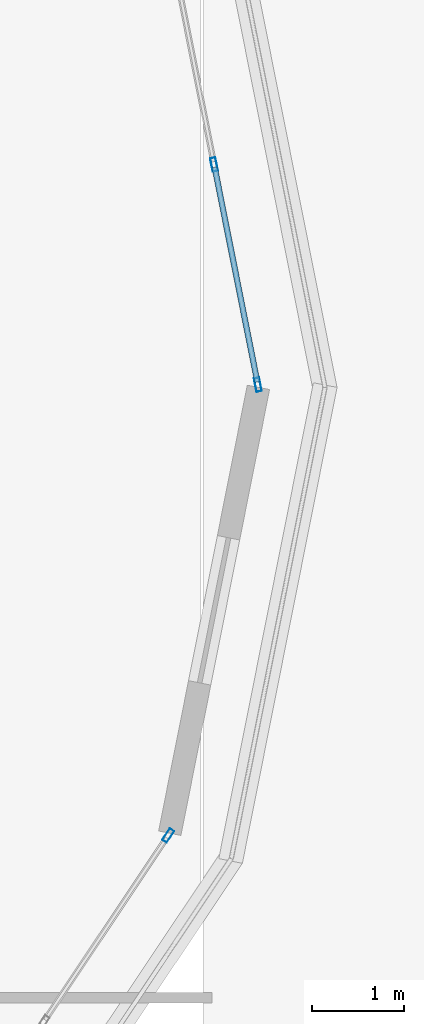
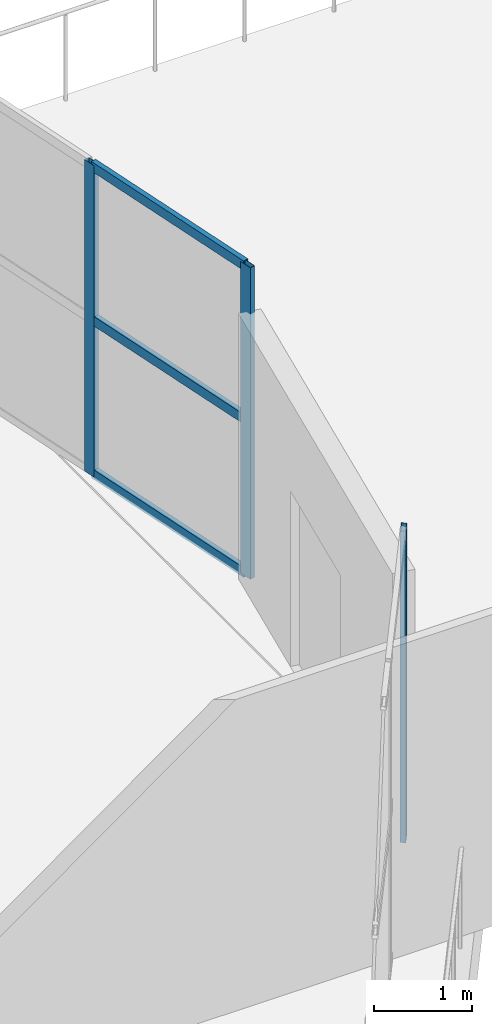
# One storey, part 22 of 44: 6 members, 2 elements without a shape of their own.
"""IFC4 building model written with IfcOpenShell, lengths in metres."""

from ifc_helpers import new_model, si_unit, direction, frame, origin, origin_2d, place, context, subcontext, project, spatial, hollow_rectangle, extrude, material, layer, layer_set, material_profile, profile_set, type_object, element, aggregate, save


model = new_model("IFC4")

# Units and contexts
model_context = context("Model", 3, precision=1e-05, world=origin(), true_north=direction((0.0, 1.0)))
body_context = subcontext(model_context, "Body", "Model", "MODEL_VIEW")
ifc_project = project(units=[si_unit("LENGTHUNIT", "METRE"), si_unit("AREAUNIT", "SQUARE_METRE"), si_unit("VOLUMEUNIT", "CUBIC_METRE"), si_unit("PLANEANGLEUNIT", "RADIAN"), si_unit("MASSUNIT", "GRAM", prefix="KILO")], contexts=[model_context])

# Site, building, storey
site_placement = place(None, origin())
site = spatial("IfcSite", under=ifc_project, at=site_placement, CompositionType="ELEMENT")
building_placement = place(site_placement, origin())
building = spatial("IfcBuilding", under=site, at=building_placement, Name="Zizhar Promenade General Hospital", CompositionType="ELEMENT")
storey_placement = place(building_placement, frame((0.0, 0.0, 34.800048828125)))
storey = spatial("IfcBuildingStorey", under=building, at=storey_placement, Name="L08", CompositionType="ELEMENT", Elevation=34.800048828125)

# Curtain wall, member
ifc_material_1 = material(Name="Anodised aluminium 6063-T6 and low-E glass", Category="aluminium")
ifc_layer = layer(ifc_material_1, 0.159912109375)
ifc_layer_set = layer_set([ifc_layer], Name="Anodised aluminium 6063-T6 and low-E glass")
curtain_wall_type = type_object("IfcCurtainWallType", Name="CW-WARD-ARC", PredefinedType="NOTDEFINED", material=ifc_layer_set)
curtain_wall_1_placement = place(storey_placement, origin())
curtain_wall_1 = element("IfcCurtainWall", 1, at=curtain_wall_1_placement, inside=storey, type_object=curtain_wall_type, Name="Ward Semicircular End Glazing L08-03", PredefinedType="NOTDEFINED")
ifc_material_2 = material(Name="Anodised aluminium 6063-T6", Category="aluminium")
ifc_material_profile_1 = material_profile(ifc_material_2, hollow_rectangle(XDim=0.06005859375, YDim=0.14990234375, WallThickness=0.00390625, at=origin_2d()))
ifc_profile_set_1 = profile_set([ifc_material_profile_1], Name="Anodised aluminium 6063-T6")
member_type_1 = type_object("IfcMemberType", Name="CWM-ALU-150x60", PredefinedType="MULLION", material=ifc_profile_set_1)
member_1_placement = place(storey_placement, frame((110.024169921875, 7.753173828125, 0.0), z_axis=(0.0, 0.0, 1.0), x_axis=(0.831461514468, -0.555582352095, 0.0)))
member_1 = element("IfcMember", 2, at=member_1_placement, type_object=member_type_1, Name="CW-12 mullion 1", PredefinedType="MULLION", context=body_context, shape_type="SweptSolid", body=[
    extrude(hollow_rectangle(XDim=0.06005859375, YDim=0.14990234375, WallThickness=0.00390625, at=origin_2d()), origin(), (0.0, 0.0, 1.0), 3.89990234375),
])
aggregate(curtain_wall_1, [member_1])

# Curtain wall, members
curtain_wall_2_placement = place(storey_placement, origin())
curtain_wall_2 = element("IfcCurtainWall", 3, at=curtain_wall_2_placement, inside=storey, type_object=curtain_wall_type, Name="Ward Semicircular End Glazing L08-05", PredefinedType="NOTDEFINED")
member_2_placement = place(storey_placement, frame((110.5205078125, 15.010986328125, 0.0), z_axis=(0.0, 0.0, 1.0), x_axis=(0.980785889615, 0.195087259275, 0.0)))
member_2 = element("IfcMember", 4, at=member_2_placement, type_object=member_type_1, Name="CW-12 mullion 2", PredefinedType="MULLION", context=body_context, shape_type="SweptSolid", body=[
    extrude(hollow_rectangle(XDim=0.06005859375, YDim=0.14990234375, WallThickness=0.00390625, at=origin_2d()), origin(), (0.0, 0.0, 1.0), 3.89990234375),
])
member_3_placement = place(storey_placement, frame((110.994140625, 12.62939453125, 0.0), z_axis=(0.0, 0.0, 1.0), x_axis=(0.980785889615, 0.195087259275, 0.0)))
member_3 = element("IfcMember", 5, at=member_3_placement, type_object=member_type_1, Name="CW-12 mullion 3", PredefinedType="MULLION", context=body_context, shape_type="SweptSolid", body=[
    extrude(hollow_rectangle(XDim=0.06005859375, YDim=0.14990234375, WallThickness=0.00390625, at=origin_2d()), origin(), (0.0, 0.0, 1.0), 3.89990234375),
])
ifc_material_3 = material(Name="Anodised aluminium 6063-T6", Category="aluminium")
ifc_material_profile_2 = material_profile(ifc_material_3, hollow_rectangle(XDim=0.06005859375, YDim=0.1201171875, WallThickness=0.00390625, at=origin_2d()))
ifc_profile_set_2 = profile_set([ifc_material_profile_2], Name="Anodised aluminium 6063-T6")
member_type_2 = type_object("IfcMemberType", Name="CWT-ALU-120x60", PredefinedType="USERDEFINED", material=ifc_profile_set_2)
member_4_placement = place(storey_placement, frame((110.5263671875, 14.9814453125, 0.030029296875), z_axis=(0.195065195628, -0.980790278018, 0.0), x_axis=(0.980790278018, 0.195065195628, 0.0)))
member_4 = element("IfcMember", 6, at=member_4_placement, type_object=member_type_2, Name="CW-12 transom 2.1", ObjectType="TRANSOM", PredefinedType="USERDEFINED", context=body_context, shape_type="SweptSolid", body=[
    extrude(hollow_rectangle(XDim=0.06005859375, YDim=0.1201171875, WallThickness=0.00390625, at=origin_2d()), origin(), (0.0, 0.0, 1.0), 2.367919921875),
])
member_5_placement = place(storey_placement, frame((110.5263671875, 14.9814453125, 1.949951171875), z_axis=(0.195065195628, -0.980790278018, 0.0), x_axis=(0.980790278018, 0.195065195628, 0.0)))
member_5 = element("IfcMember", 7, at=member_5_placement, type_object=member_type_2, Name="CW-12 transom 2.2", ObjectType="TRANSOM", PredefinedType="USERDEFINED", context=body_context, shape_type="SweptSolid", body=[
    extrude(hollow_rectangle(XDim=0.06005859375, YDim=0.1201171875, WallThickness=0.00390625, at=origin_2d()), origin(), (0.0, 0.0, 1.0), 2.367919921875),
])
member_6_placement = place(storey_placement, frame((110.5263671875, 14.9814453125, 3.869873046875), z_axis=(0.195065195628, -0.980790278018, 0.0), x_axis=(0.980790278018, 0.195065195628, 0.0)))
member_6 = element("IfcMember", 8, at=member_6_placement, type_object=member_type_2, Name="CW-12 transom 2.3", ObjectType="TRANSOM", PredefinedType="USERDEFINED", context=body_context, shape_type="SweptSolid", body=[
    extrude(hollow_rectangle(XDim=0.06005859375, YDim=0.1201171875, WallThickness=0.00390625, at=origin_2d()), origin(), (0.0, 0.0, 1.0), 2.367919921875),
])
aggregate(curtain_wall_2, [member_2, member_3, member_4, member_5, member_6])

save(model, "model.ifc")
